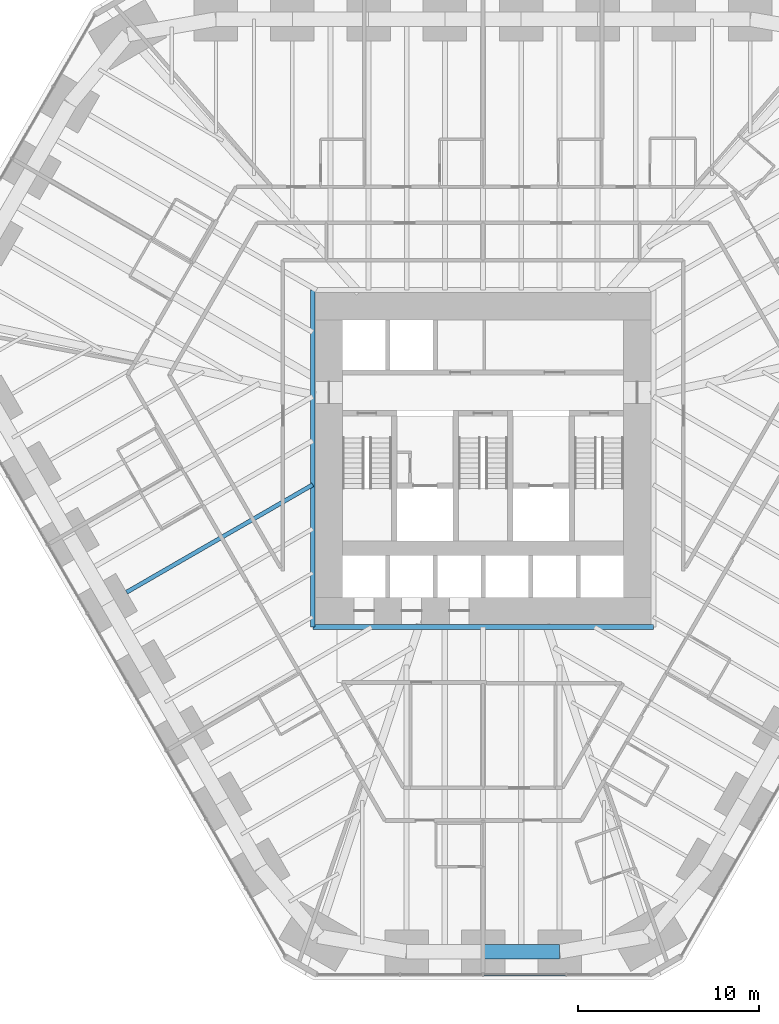
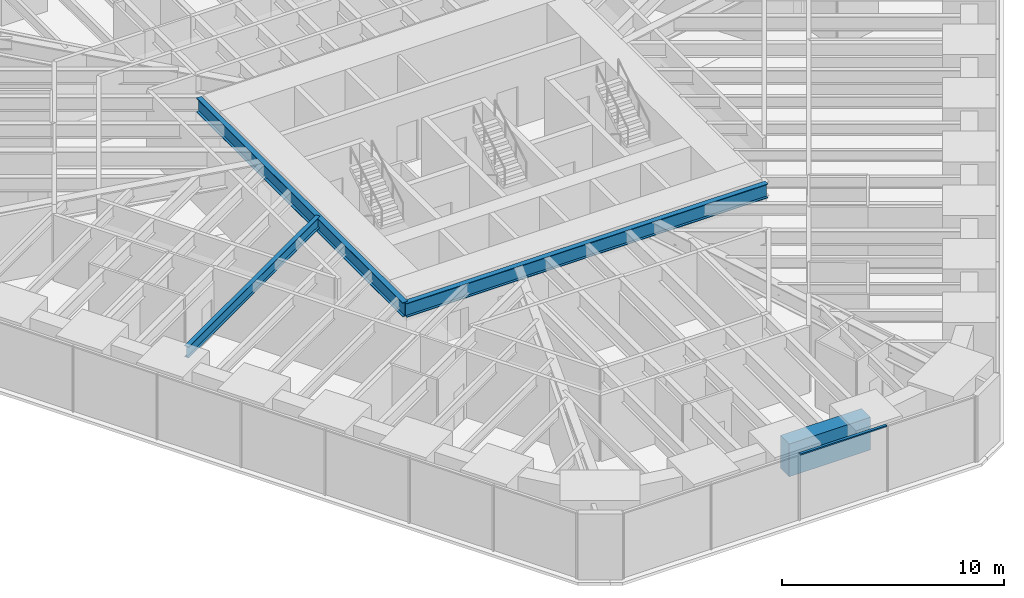
# One storey, part 4 of 17: 4 beams, 1 member, 1 element without a shape of its own.
"""IFC4 building model written with IfcOpenShell, lengths in metres."""

from ifc_helpers import new_model, si_unit, direction, frame, origin, origin_2d, place, context, subcontext, project, spatial, rectangle, i_section, extrude, material, material_profile, profile_set, type_object, element, aggregate, save


model = new_model("IFC4")

# Units and contexts
model_context = context("Model", 3, precision=1e-05, world=origin(), true_north=direction((0.0, 1.0)))
body_context = subcontext(model_context, "Body", "Model", "MODEL_VIEW")
ifc_project = project(units=[si_unit("LENGTHUNIT", "METRE"), si_unit("AREAUNIT", "SQUARE_METRE"), si_unit("VOLUMEUNIT", "CUBIC_METRE"), si_unit("PLANEANGLEUNIT", "RADIAN"), si_unit("MASSUNIT", "GRAM", prefix="KILO")], contexts=[model_context])

# Site, building, storey
site_placement = place(None, origin())
site = spatial("IfcSite", under=ifc_project, at=site_placement, CompositionType="ELEMENT")
building_placement = place(site_placement, origin())
building = spatial("IfcBuilding", under=site, at=building_placement, Name="Sandreach Pilgrim Tower", CompositionType="ELEMENT")
storey_placement = place(building_placement, frame((0.0, 0.0, 49.60009765625)))
storey = spatial("IfcBuildingStorey", under=building, at=storey_placement, Name="L11", CompositionType="ELEMENT", Elevation=49.60009765625)

# Curtain wall, member
ifc_material_1 = material(Name="Aluminium framed curtain wall", Category="aluminium")
curtain_wall_type = type_object("IfcCurtainWallType", Name="Hostel tower curtain wall", PredefinedType="NOTDEFINED", material=ifc_material_1)
curtain_wall_placement = place(storey_placement, origin())
curtain_wall = element("IfcCurtainWall", 1, at=curtain_wall_placement, inside=storey, type_object=curtain_wall_type, Name="CW-1 L11 S", PredefinedType="NOTDEFINED")
ifc_material_2 = material(Name="Aluminium extrusion", Category="aluminium")
ifc_material_profile_1 = material_profile(ifc_material_2, rectangle(XDim=0.139892578125, YDim=0.070068359375, at=origin_2d()), Name="CW-1T 140X70")
ifc_profile_set_1 = profile_set([ifc_material_profile_1], Name="Aluminium extrusion")
member_type = type_object("IfcMemberType", Name="CW-1 transom", PredefinedType="USERDEFINED", material=ifc_profile_set_1)
member_placement = place(storey_placement, frame((4.553466796875, -30.010986328125, 3.60498046875), z_axis=(-1.0, 0.0, 0.0), x_axis=(0.0, -1.0, 0.0)))
member = element("IfcMember", 2, at=member_placement, type_object=member_type, Name="CW-1 head transom 2", ObjectType="TRANSOM", PredefinedType="USERDEFINED", context=body_context, shape_type="SweptSolid", body=[
    extrude(rectangle(XDim=0.139892578125, YDim=0.070068359375, at=origin_2d()), origin(), (0.0, 0.0, 1.0), 4.52099609375),
])
aggregate(curtain_wall, [member])

# Beams
ifc_material_3 = material(Name="Steel ASTM A992 Grade 50", Category="steel")
ifc_material_profile_2 = material_profile(ifc_material_3, i_section(OverallWidth=0.2666015625, OverallDepth=0.77978515625, WebThickness=0.0166015625, FlangeThickness=0.030029296875, at=origin_2d()), Name="W30X148")
ifc_profile_set_2 = profile_set([ifc_material_profile_2], Name="Steel ASTM A992 Grade 50")
beam_type_1 = type_object("IfcBeamType", Name="Core edge beam W30X148", PredefinedType="BEAM", material=ifc_profile_set_2)
beam_1_placement = place(storey_placement, frame((9.393310546875, -10.84326171875, 3.25), z_axis=(-1.0, 0.0, 0.0), x_axis=(0.0, -1.0, 0.0)))
element("IfcBeam", 3, at=beam_1_placement, inside=storey, type_object=beam_type_1, Name="BM L11 CES", PredefinedType="BEAM", context=body_context, shape_type="SweptSolid", body=[
    extrude(i_section(OverallWidth=0.2666015625, OverallDepth=0.77978515625, WebThickness=0.0166015625, FlangeThickness=0.030029296875, at=origin_2d()), origin(), (0.0, 0.0, 1.0), 18.78662109375),
])
beam_2_placement = place(storey_placement, frame((-9.393310546875, -10.84326171875, 3.25), z_axis=(0.0, 1.0, 0.0), x_axis=(-1.0, 0.0, 0.0)))
element("IfcBeam", 4, at=beam_2_placement, inside=storey, type_object=beam_type_1, Name="BM L11 CEW", PredefinedType="BEAM", context=body_context, shape_type="SweptSolid", body=[
    extrude(i_section(OverallWidth=0.2666015625, OverallDepth=0.77978515625, WebThickness=0.0166015625, FlangeThickness=0.030029296875, at=origin_2d()), origin(), (0.0, 0.0, 1.0), 18.586669921875),
])
ifc_material_4 = material(Name="Steel ASTM A992 Grade 50", Category="steel")
ifc_material_profile_3 = material_profile(ifc_material_4, i_section(OverallWidth=0.23046875, OverallDepth=0.6171875, WebThickness=0.01318359375, FlangeThickness=0.022216796875, at=origin_2d()), Name="W24X94")
ifc_profile_set_3 = profile_set([ifc_material_profile_3], Name="Steel ASTM A992 Grade 50")
beam_type_2 = type_object("IfcBeamType", Name="Floor beam W24X94", PredefinedType="BEAM", material=ifc_profile_set_3)
beam_3_placement = place(storey_placement, frame((-19.662353515625, -8.92138671875, 3.331298828125), z_axis=(0.866029924088, 0.499992170523, 0.0), x_axis=(-0.499992170523, 0.866029924088, 0.0)))
element("IfcBeam", 5, at=beam_3_placement, inside=storey, type_object=beam_type_2, Name="BM L11 F31", PredefinedType="BEAM", context=body_context, shape_type="SweptSolid", body=[
    extrude(i_section(OverallWidth=0.23046875, OverallDepth=0.6171875, WebThickness=0.01318359375, FlangeThickness=0.022216796875, at=origin_2d()), origin(), (0.0, 0.0, 1.0), 11.857666015625),
])
ifc_material_5 = material(Name="Concrete 10000 psi", Category="concrete")
ifc_material_profile_4 = material_profile(ifc_material_5, rectangle(XDim=0.800048828125, YDim=1.800048828125, at=origin_2d()), Name="RC800X1800")
ifc_profile_set_4 = profile_set([ifc_material_profile_4], Name="Concrete 10000 psi")
beam_type_3 = type_object("IfcBeamType", Name="Spandrel beam RC800X1800", PredefinedType="SPANDREL", material=ifc_profile_set_4)
beam_4_placement = place(storey_placement, frame((4.222412109375, -28.7509765625, 2.739990234375), z_axis=(-1.0, 0.0, 0.0), x_axis=(0.0, -1.0, 0.0)))
element("IfcBeam", 6, at=beam_4_placement, inside=storey, type_object=beam_type_3, Name="BM L11 SP23", PredefinedType="SPANDREL", context=body_context, shape_type="SweptSolid", body=[
    extrude(rectangle(XDim=0.800048828125, YDim=1.800048828125, at=origin_2d()), origin(), (0.0, 0.0, 1.0), 4.222412109375),
])

save(model, "model.ifc")
